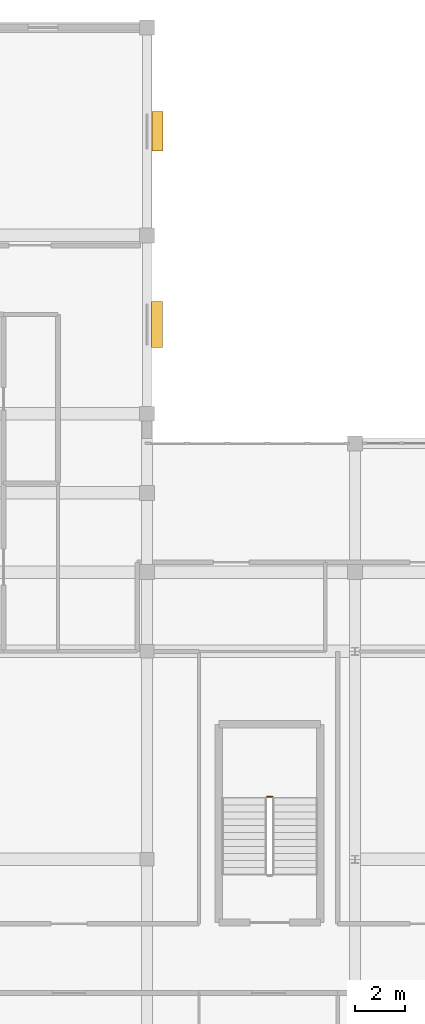
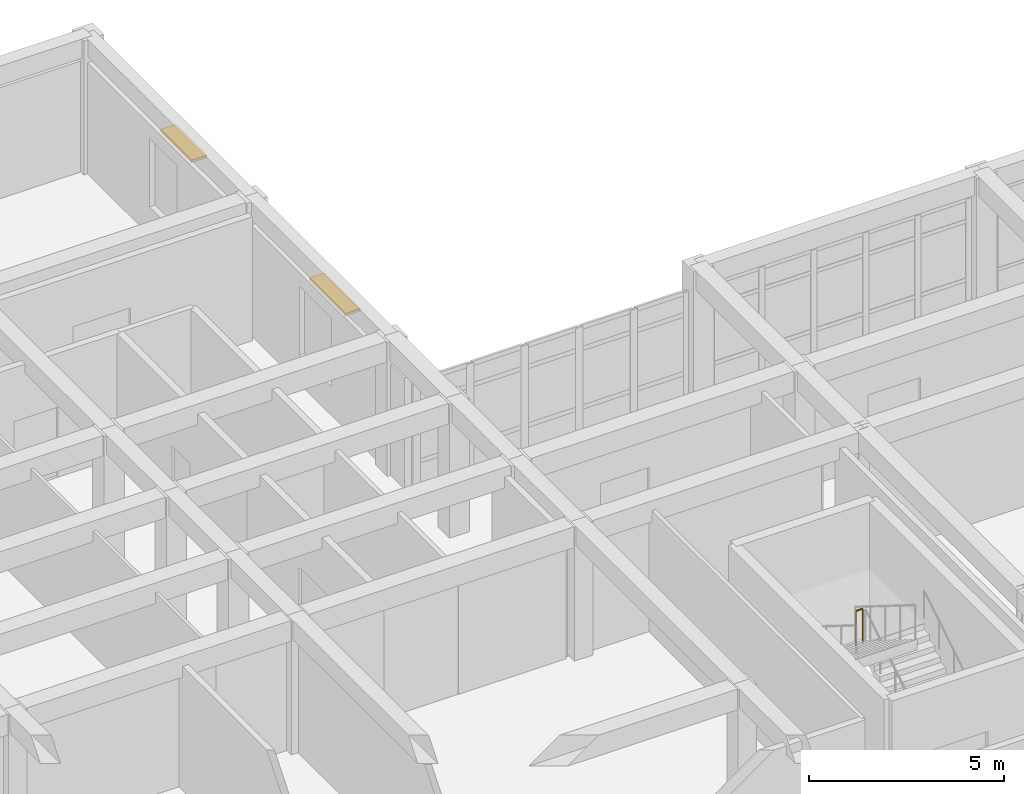
# One storey, part 70 of 77: 2 shading devices, 1 railing.
"""IFC4 building model written with IfcOpenShell, lengths in metres."""

from ifc_helpers import new_model, si_unit, direction, frame, origin, origin_2d, place, context, subcontext, project, spatial, rectangle, circle, extrude, material, layer, layer_set, type_object, element, save


model = new_model("IFC4")

# Units and contexts
model_context = context("Model", 3, precision=1e-05, world=origin(), true_north=direction((0.0, 1.0)))
body_context = subcontext(model_context, "Body", "Model", "MODEL_VIEW")
ifc_project = project(units=[si_unit("LENGTHUNIT", "METRE"), si_unit("AREAUNIT", "SQUARE_METRE"), si_unit("VOLUMEUNIT", "CUBIC_METRE"), si_unit("PLANEANGLEUNIT", "RADIAN"), si_unit("MASSUNIT", "GRAM", prefix="KILO")], contexts=[model_context])

# Site, building, storey
site_placement = place(None, origin())
site = spatial("IfcSite", under=ifc_project, at=site_placement, CompositionType="ELEMENT")
building_placement = place(site_placement, origin())
building = spatial("IfcBuilding", under=site, at=building_placement, Name="Varncliffe General Hospital", CompositionType="ELEMENT")
storey_placement = place(building_placement, frame((0.0, 0.0, 16.199951171875)))
storey = spatial("IfcBuildingStorey", under=building, at=storey_placement, Name="L03", CompositionType="ELEMENT", Elevation=16.199951171875)

# Shading devices
ifc_material_1 = material(Name="Dark bronze extruded aluminium solar jalousie louvres", Category="aluminium")
ifc_layer = layer(ifc_material_1, 0.080078125)
ifc_layer_set = layer_set([ifc_layer], Name="Dark bronze extruded aluminium solar jalousie louvres")
shading_device_type = type_object("IfcShadingDeviceType", Name="Bronze Solar Jalousie Louvre Hood SHD18", PredefinedType="JALOUSIE", material=ifc_layer_set)
shading_device_1_placement = place(storey_placement, frame((67.614990234375, 120.60009765625, 3.06005859375), z_axis=(0.0, 0.0, 1.0), x_axis=(0.0, -1.0, 0.0)))
element("IfcShadingDevice", 1, at=shading_device_1_placement, inside=storey, type_object=shading_device_type, Name="L03 Bronze Window Sun-Shading Louvre 65", PredefinedType="JALOUSIE", context=body_context, shape_type="SweptSolid", body=[
    extrude(rectangle(XDim=1.60009765625, YDim=0.449951171875, at=origin_2d()), origin(), (0.0, 0.0, 1.0), 0.080078125),
])
shading_device_2_placement = place(storey_placement, frame((67.60009765625, 112.800048828125, 3.06005859375), z_axis=(0.0, 0.0, 1.0), x_axis=(0.0, -1.0, 0.0)))
element("IfcShadingDevice", 2, at=shading_device_2_placement, inside=storey, type_object=shading_device_type, Name="L03 Bronze Window Sun-Shading Louvre 66", PredefinedType="JALOUSIE", context=body_context, shape_type="SweptSolid", body=[
    extrude(rectangle(XDim=1.85009765625, YDim=0.449951171875, at=origin_2d()), origin(), (0.0, 0.0, 1.0), 0.080078125),
])

# Railing
ifc_material_2 = material(Name="Powder-coated hospital steel guardrail and handrail", Category="steel")
railing_type = type_object("IfcRailingType", Name="Stairwell Guardrail SG49", PredefinedType="GUARDRAIL", material=ifc_material_2)
railing_placement = place(storey_placement, frame((72.25, 93.72998046875, 2.10009765625)))
element("IfcRailing", 3, at=railing_placement, inside=storey, type_object=railing_type, Name="L03 ST12 stair guard 2", PredefinedType="GUARDRAIL", context=body_context, shape_type="SweptSolid", body=[
    extrude(circle(Radius=0.02392578125, at=origin_2d()), frame((0.0, 0.0, 1.076171875), z_axis=(-1.0, 0.0, 0.0), x_axis=(0.0, -1.0, 0.0)), (0.0, 0.0, 1.0), 0.199951171875),
    extrude(circle(Radius=0.02099609375, at=origin_2d()), origin(), (0.0, 0.0, 1.0), 1.052001953125),
    extrude(circle(Radius=0.02099609375, at=origin_2d()), frame((-0.199951171875, 0.0, 0.0)), (0.0, 0.0, 1.0), 1.052001953125),
])

save(model, "model.ifc")
